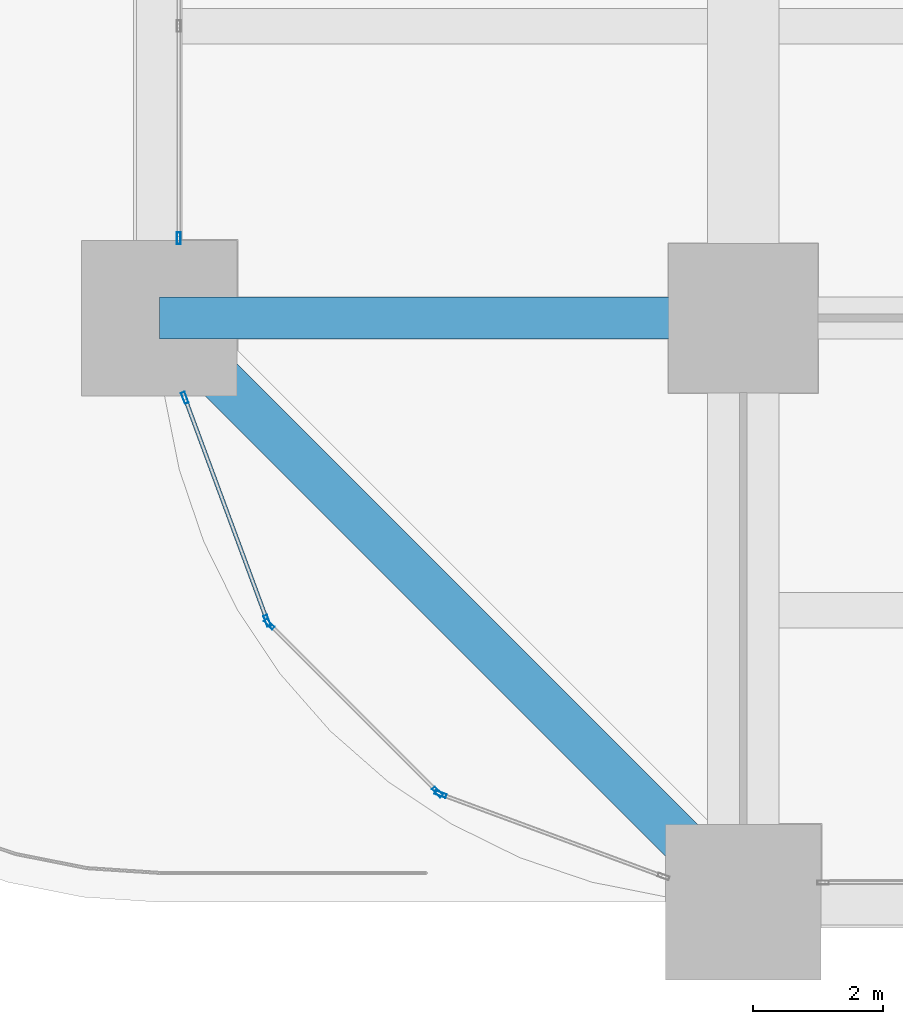
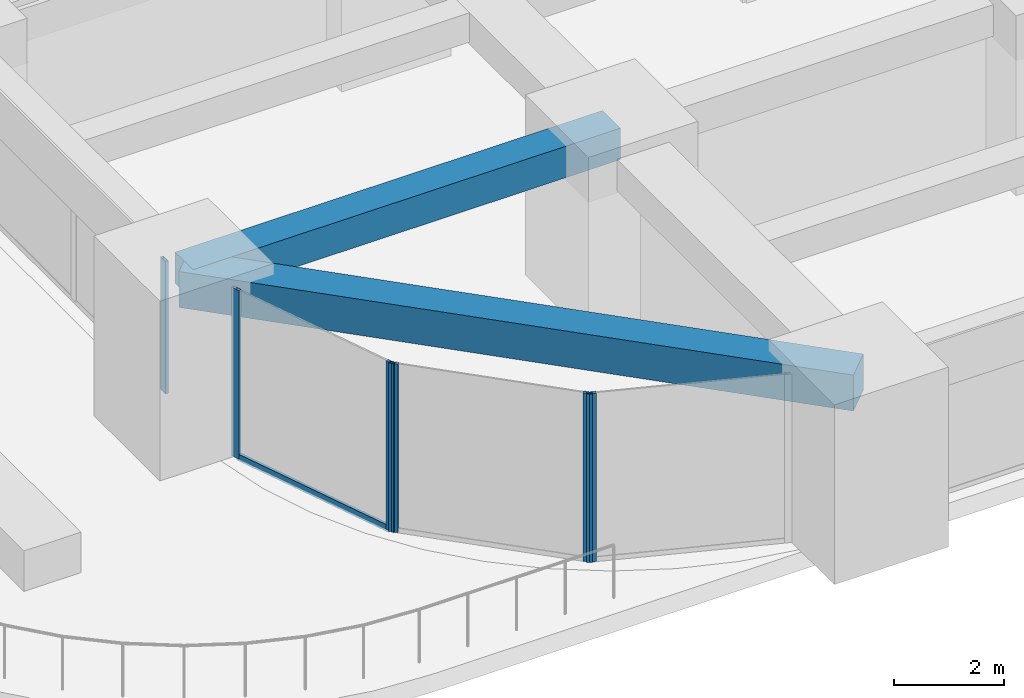
# One storey, part 2 of 38: 7 members, 2 beams, 4 elements without a shape of their own.
"""IFC4 building model written with IfcOpenShell, lengths in metres."""

import ifcopenshell
import ifcopenshell.guid

model = None  # the IFC model being written
_history = None  # IfcOwnerHistory: only IFC2X3 demands one
_inside = {}  # id of a spatial element -> (the spatial element, [elements in it])
_under = {}  # id of a project, library or spatial element -> (it, [spatial elements below it])
_declared = {}  # id of a project -> (the project, [libraries it declares])
_typed = {}  # id of a type object -> (the type object, [elements of that type])
_made_of = {}  # id of a material, layer set ... -> (it, [elements and type objects made of it])


def new_model(schema):
    """Start an empty IFC model of exactly this schema.

    Asked for "IFC4X3", IfcOpenShell would pick the latest addendum, in which some entities
    have other attributes; the version numbers below select the first issue.
    IFC2X3 requires an IfcOwnerHistory on every rooted entity: one is made here for all.
    """
    global model, _history
    if schema == "IFC4X3":
        model = ifcopenshell.file(schema_version=(4, 3, 0, 0))
    else:
        model = ifcopenshell.file(schema=schema)
    _inside.clear()
    _under.clear()
    _declared.clear()
    _typed.clear()
    _made_of.clear()
    _history = None
    if model.schema == "IFC2X3":
        org = make("IfcOrganization", Name="unknown")
        user = make(
            "IfcPersonAndOrganization",
            ThePerson=make("IfcPerson", FamilyName="unknown"),
            TheOrganization=org,
        )
        app = make(
            "IfcApplication",
            ApplicationDeveloper=org,
            Version="unknown",
            ApplicationFullName="unknown",
            ApplicationIdentifier="unknown",
        )
        _history = make(
            "IfcOwnerHistory",
            OwningUser=user,
            OwningApplication=app,
            ChangeAction="ADDED",
            CreationDate=0,
        )
    return model


def make(cls, **values):
    """One entity of the class cls with the attributes given. An attribute that is None is left unset."""
    return model.create_entity(
        cls, **{name: value for name, value in values.items() if value is not None}
    )


def rooted(cls, **values):
    """An entity with a GlobalId (a new one), such as an element, a storey or a relation."""
    return make(cls, GlobalId=ifcopenshell.guid.new(), OwnerHistory=_history, **values)


def si_unit(unit_type, name, prefix=None):
    """IfcSIUnit, for example si_unit("LENGTHUNIT", "METRE", prefix="MILLI")."""
    return make("IfcSIUnit", UnitType=unit_type, Prefix=prefix, Name=name)


def assignment(units):
    """IfcUnitAssignment: the units of a project."""
    return None if units is None else make("IfcUnitAssignment", Units=units)


def point(xyz):
    """IfcCartesianPoint."""
    return None if xyz is None else make("IfcCartesianPoint", Coordinates=xyz)


def direction(xyz):
    """IfcDirection."""
    return None if xyz is None else make("IfcDirection", DirectionRatios=xyz)


def frame(location, z_axis=None, x_axis=None):
    """IfcAxis2Placement3D, a coordinate frame: its origin and axes. An axis left out is left unset."""
    return make(
        "IfcAxis2Placement3D",
        Location=point(location),
        Axis=direction(z_axis),
        RefDirection=direction(x_axis),
    )


def frame_2d(location, x_axis=None):
    """IfcAxis2Placement2D, a coordinate frame in the plane: its origin and x axis."""
    return make(
        "IfcAxis2Placement2D", Location=point(location), RefDirection=direction(x_axis)
    )


def origin():
    """The frame at (0, 0, 0) with its axes left unset."""
    return frame((0.0, 0.0, 0.0))


def origin_2d():
    """The frame at (0, 0) in the plane with its x axis left unset."""
    return frame_2d((0.0, 0.0))


def place(relative_to, where):
    """IfcLocalPlacement: puts the frame where relative to a parent placement (None: the world)."""
    return make(
        "IfcLocalPlacement", PlacementRelTo=relative_to, RelativePlacement=where
    )


def context(
    kind, dimensions, precision=None, world=None, true_north=None, identifier=None
):
    """IfcGeometricRepresentationContext, for example the 3D "Model" context."""
    return make(
        "IfcGeometricRepresentationContext",
        ContextIdentifier=identifier,
        ContextType=kind,
        CoordinateSpaceDimension=dimensions,
        Precision=precision,
        WorldCoordinateSystem=world,
        TrueNorth=true_north,
    )


def subcontext(parent, identifier, kind, view, scale=None):
    """IfcGeometricRepresentationSubContext, for example "Body" below "Model"."""
    return make(
        "IfcGeometricRepresentationSubContext",
        ContextIdentifier=identifier,
        ContextType=kind,
        ParentContext=parent,
        TargetScale=scale,
        TargetView=view,
    )


def project(units=None, contexts=None):
    """IfcProject with its units and contexts."""
    return rooted(
        "IfcProject",
        Name="project",
        RepresentationContexts=contexts,
        UnitsInContext=assignment(units),
    )


def spatial(cls, under=None, at=None, **own):
    """A site, building, storey or space (cls), placed at a placement, below another one or the project."""
    s = rooted(cls, ObjectPlacement=at, **own)
    if under is not None:
        _under.setdefault(under.id(), (under, []))[1].append(s)
    return s


def profile(cls, at=None, kind="AREA", **sizes):
    """A parametric profile (cls). Its sizes go by their IFC names, for example OverallWidth=200.0."""
    return make(cls, ProfileType=kind, Position=at, **sizes)


def rectangle(**sizes):
    """IfcRectangleProfileDef."""
    return profile("IfcRectangleProfileDef", **sizes)


def hollow_rectangle(**sizes):
    """IfcRectangleHollowProfileDef."""
    return profile("IfcRectangleHollowProfileDef", **sizes)


def extrude(swept, where, along, depth):
    """IfcExtrudedAreaSolid: the profile swept, set in the frame where, extruded along a direction by depth."""
    return make(
        "IfcExtrudedAreaSolid",
        SweptArea=swept,
        Position=where,
        ExtrudedDirection=direction(along),
        Depth=depth,
    )


def shape(context_of_items, identifier, shape_type, items):
    """IfcShapeRepresentation: the items that make up one representation, for example the "Body"."""
    return make(
        "IfcShapeRepresentation",
        ContextOfItems=context_of_items,
        RepresentationIdentifier=identifier,
        RepresentationType=shape_type,
        Items=items,
    )


def material(Name=None, Category=None):
    """IfcMaterial."""
    return make("IfcMaterial", Name=Name, Category=Category)


def material_profile(
    of_material, cross_section, Name=None, Category=None, Priority=None
):
    """IfcMaterialProfile: a cross section and its material."""
    return make(
        "IfcMaterialProfile",
        Name=Name,
        Material=of_material,
        Profile=cross_section,
        Priority=Priority,
        Category=Category,
    )


def profile_set(profiles, Name=None, composite=None):
    """IfcMaterialProfileSet."""
    return make(
        "IfcMaterialProfileSet",
        Name=Name,
        MaterialProfiles=profiles,
        CompositeProfile=composite,
    )


def made_of(thing, what):
    """Note that an element or type object is made of a material, layer set ...; save() writes the relation."""
    if what is not None:
        _made_of.setdefault(what.id(), (what, []))[1].append(thing)
    return thing


def type_object(cls, material=None, **own):
    """A type object (cls), such as IfcWallType, which elements share."""
    return made_of(rooted(cls, **own), material)


def element(
    cls,
    number,
    at=None,
    inside=None,
    cuts=None,
    type_object=None,
    material=None,
    context=None,
    identifier="Body",
    shape_type=None,
    held_by="IfcProductDefinitionShape",
    body=None,
    shapes=None,
    **own,
):
    """One element of the class cls, such as IfcWall. Its Tag is "e" and its number.

    at: its placement. inside: the storey or other place that contains it. cuts: it is an
    opening in that element (IfcRelVoidsElement). A single representation is given by context,
    identifier, shape_type and body (its items); several are given by shapes. held_by: the class
    of the entity that holds the representations. save() writes the other relations.
    """
    e = rooted(cls, Tag="e%d" % number, ObjectPlacement=at, **own)
    if body is not None:
        shapes = [shape(context, identifier, shape_type, body)]
    if shapes is not None:
        e.Representation = make(held_by, Representations=shapes)
    if inside is not None:
        _inside.setdefault(inside.id(), (inside, []))[1].append(e)
    if cuts is not None:
        rooted(
            "IfcRelVoidsElement", RelatingBuildingElement=cuts, RelatedOpeningElement=e
        )
    if type_object is not None:
        _typed.setdefault(type_object.id(), (type_object, []))[1].append(e)
    return made_of(e, material)


def aggregate(whole, parts):
    """IfcRelAggregates: a whole, such as a stair, and the parts it consists of."""
    return rooted("IfcRelAggregates", RelatingObject=whole, RelatedObjects=parts)


def save(model, path):
    """Write the relations noted so far, then the file.

    IfcRelAggregates (storeys below a building ...), IfcRelContainedInSpatialStructure (elements
    in a storey), IfcRelDefinesByType, IfcRelAssociatesMaterial and IfcRelDeclares: one each for
    every whole, place, type object, material and project.
    """
    for whole, parts in _under.values():
        aggregate(whole, parts)
    for where, things in _inside.values():
        rooted(
            "IfcRelContainedInSpatialStructure",
            RelatedElements=things,
            RelatingStructure=where,
        )
    for kind, things in _typed.values():
        rooted("IfcRelDefinesByType", RelatedObjects=things, RelatingType=kind)
    for what, things in _made_of.values():
        rooted("IfcRelAssociatesMaterial", RelatedObjects=things, RelatingMaterial=what)
    for by, libraries in _declared.values():
        rooted("IfcRelDeclares", RelatingContext=by, RelatedDefinitions=libraries)
    model.write(path)


model = new_model("IFC4")

# Units and contexts
model_context = context("Model", 3, precision=1e-05, world=origin(), true_north=direction((0.0, 1.0)))
body_context = subcontext(model_context, "Body", "Model", "MODEL_VIEW")
ifc_project = project(units=[si_unit("LENGTHUNIT", "METRE"), si_unit("AREAUNIT", "SQUARE_METRE"), si_unit("VOLUMEUNIT", "CUBIC_METRE"), si_unit("PLANEANGLEUNIT", "RADIAN"), si_unit("MASSUNIT", "GRAM", prefix="KILO")], contexts=[model_context])

# Site, building, storey
site_placement = place(None, origin())
site = spatial("IfcSite", under=ifc_project, at=site_placement, CompositionType="ELEMENT")
building_placement = place(site_placement, origin())
building = spatial("IfcBuilding", under=site, at=building_placement, Name="Zorevar Civic Tower", CompositionType="ELEMENT")
storey_placement = place(building_placement, frame((0.0, 0.0, 15.800048828125)))
storey = spatial("IfcBuildingStorey", under=building, at=storey_placement, Name="L03", CompositionType="ELEMENT", Elevation=15.800048828125)

# Beam
ifc_material_1 = material(Name="Concrete C50/60", Category="concrete")
ifc_material_profile_1 = material_profile(ifc_material_1, rectangle(XDim=0.64990234375, YDim=0.699951171875, at=origin_2d()), Name="RC 650x700")
ifc_profile_set_1 = profile_set([ifc_material_profile_1], Name="Concrete C50/60")
beam_type_1 = type_object("IfcBeamType", Name="Beam RC 650x700", PredefinedType="BEAM", material=ifc_profile_set_1)
beam_1_placement = place(storey_placement, frame((0.0, 9.0, 3.39990234375), z_axis=(1.0, 0.0, 0.0), x_axis=(0.0, 1.0, 0.0)))
element("IfcBeam", 1, at=beam_1_placement, inside=storey, type_object=beam_type_1, Name="Girder L04", PredefinedType="BEAM", context=body_context, shape_type="SweptSolid", body=[
    extrude(rectangle(XDim=0.64990234375, YDim=0.699951171875, at=origin_2d()), origin(), (0.0, 0.0, 1.0), 9.0),
])

# Curtain wall, member
ifc_material_2 = material(Name="Dark grey solar-control glass in black aluminium frame", Category="aluminium")
curtain_wall_type = type_object("IfcCurtainWallType", Name="Curtain wall CW2 low zone", PredefinedType="NOTDEFINED", material=ifc_material_2)
curtain_wall_1_placement = place(storey_placement, origin())
curtain_wall_1 = element("IfcCurtainWall", 2, at=curtain_wall_1_placement, inside=storey, type_object=curtain_wall_type, Name="CW2 L03", PredefinedType="NOTDEFINED")
ifc_material_3 = material(Name="Aluminium, black anodised", Category="aluminium")
ifc_material_profile_2 = material_profile(ifc_material_3, hollow_rectangle(XDim=0.06005859375, YDim=0.179931640625, WallThickness=0.00390625, at=origin_2d()), Name="AL 180x60x4")
ifc_profile_set_2 = profile_set([ifc_material_profile_2], Name="Aluminium, black anodised")
member_type_1 = type_object("IfcMemberType", Name="CW2 mullion AL 180x60x4", PredefinedType="MULLION", material=ifc_profile_set_2)
member_1_placement = place(storey_placement, frame((0.300048828125, 10.22998046875, 0.0), z_axis=(0.0, 0.0, 1.0), x_axis=(-1.0, 0.0, 0.0)))
member_1 = element("IfcMember", 3, at=member_1_placement, type_object=member_type_1, Name="CW2 mullion 1", PredefinedType="MULLION", context=body_context, shape_type="SweptSolid", body=[
    extrude(hollow_rectangle(XDim=0.06005859375, YDim=0.179931640625, WallThickness=0.00390625, at=origin_2d()), origin(), (0.0, 0.0, 1.0), 2.949951171875),
])
aggregate(curtain_wall_1, [member_1])

# Curtain wall, members
curtain_wall_2_placement = place(storey_placement, origin())
curtain_wall_2 = element("IfcCurtainWall", 4, at=curtain_wall_2_placement, inside=storey, type_object=curtain_wall_type, Name="CW2 L03", PredefinedType="NOTDEFINED")
member_2_placement = place(storey_placement, frame((0.3935546875, 7.77197265625, 0.0), z_axis=(0.0, 0.0, 1.0), x_axis=(0.937974588163, 0.346704012033, 0.0)))
member_2 = element("IfcMember", 5, at=member_2_placement, type_object=member_type_1, Name="CW2 mullion 1", PredefinedType="MULLION", context=body_context, shape_type="SweptSolid", body=[
    extrude(hollow_rectangle(XDim=0.06005859375, YDim=0.179931640625, WallThickness=0.00390625, at=origin_2d()), origin(), (0.0, 0.0, 1.0), 3.75),
])
member_3_placement = place(storey_placement, frame((1.663818359375, 4.33544921875, 0.0), z_axis=(0.0, 0.0, 1.0), x_axis=(0.937974588163, 0.346704012033, 0.0)))
member_3 = element("IfcMember", 6, at=member_3_placement, type_object=member_type_1, Name="CW2 mullion 2", PredefinedType="MULLION", context=body_context, shape_type="SweptSolid", body=[
    extrude(hollow_rectangle(XDim=0.06005859375, YDim=0.179931640625, WallThickness=0.00390625, at=origin_2d()), origin(), (0.0, 0.0, 1.0), 3.75),
])

curtain_wall_3_placement = place(storey_placement, origin())
curtain_wall_3 = element("IfcCurtainWall", 7, at=curtain_wall_3_placement, inside=storey, type_object=curtain_wall_type, Name="CW2 L03", PredefinedType="NOTDEFINED")
member_4_placement = place(storey_placement, frame((1.6953125, 4.2861328125, 0.0), z_axis=(0.0, 0.0, 1.0), x_axis=(0.707106781187, 0.707106781187, 0.0)))
member_4 = element("IfcMember", 8, at=member_4_placement, type_object=member_type_1, Name="CW2 mullion 1", PredefinedType="MULLION", context=body_context, shape_type="SweptSolid", body=[
    extrude(hollow_rectangle(XDim=0.06005859375, YDim=0.179931640625, WallThickness=0.00390625, at=origin_2d()), origin(), (0.0, 0.0, 1.0), 3.75),
])
member_5_placement = place(storey_placement, frame((4.2861328125, 1.6953125, 0.0), z_axis=(0.0, 0.0, 1.0), x_axis=(0.707106781187, 0.707106781187, 0.0)))
member_5 = element("IfcMember", 9, at=member_5_placement, type_object=member_type_1, Name="CW2 mullion 2", PredefinedType="MULLION", context=body_context, shape_type="SweptSolid", body=[
    extrude(hollow_rectangle(XDim=0.06005859375, YDim=0.179931640625, WallThickness=0.00390625, at=origin_2d()), origin(), (0.0, 0.0, 1.0), 3.75),
])
aggregate(curtain_wall_3, [member_4, member_5])

# Curtain wall, member
curtain_wall_4_placement = place(storey_placement, origin())
curtain_wall_4 = element("IfcCurtainWall", 10, at=curtain_wall_4_placement, inside=storey, type_object=curtain_wall_type, Name="CW2 L03", PredefinedType="NOTDEFINED")
member_6_placement = place(storey_placement, frame((4.33544921875, 1.663818359375, 0.0), z_axis=(0.0, 0.0, 1.0), x_axis=(0.346704012033, 0.937974588163, 0.0)))
member_6 = element("IfcMember", 11, at=member_6_placement, type_object=member_type_1, Name="CW2 mullion 1", PredefinedType="MULLION", context=body_context, shape_type="SweptSolid", body=[
    extrude(hollow_rectangle(XDim=0.06005859375, YDim=0.179931640625, WallThickness=0.00390625, at=origin_2d()), origin(), (0.0, 0.0, 1.0), 3.75),
])
aggregate(curtain_wall_4, [member_6])

# Member
ifc_material_4 = material(Name="Aluminium, black anodised", Category="aluminium")
ifc_material_profile_3 = material_profile(ifc_material_4, hollow_rectangle(XDim=0.06005859375, YDim=0.14990234375, WallThickness=0.00390625, at=origin_2d()), Name="AL 150x60x4")
ifc_profile_set_3 = profile_set([ifc_material_profile_3], Name="Aluminium, black anodised")
member_type_2 = type_object("IfcMemberType", Name="CW2 transom AL 150x60x4", PredefinedType="USERDEFINED", material=ifc_profile_set_3)
member_7_placement = place(storey_placement, frame((0.404052734375, 7.74365234375, 0.030029296875), z_axis=(0.346672169799, -0.93798635741, 0.0), x_axis=(0.93798635741, 0.346672169799, 0.0)))
member_7 = element("IfcMember", 12, at=member_7_placement, type_object=member_type_2, Name="CW2 sill transom", ObjectType="TRANSOM", PredefinedType="USERDEFINED", context=body_context, shape_type="SweptSolid", body=[
    extrude(hollow_rectangle(XDim=0.06005859375, YDim=0.14990234375, WallThickness=0.00390625, at=origin_2d()), origin(), (0.0, 0.0, 1.0), 3.603515625),
])

aggregate(curtain_wall_2, [member_2, member_3, member_7])

# Beam
ifc_material_5 = material(Name="Concrete C50/60", Category="concrete")
ifc_material_profile_4 = material_profile(ifc_material_5, rectangle(XDim=0.699951171875, YDim=0.800048828125, at=origin_2d()), Name="RC 700x800")
ifc_profile_set_4 = profile_set([ifc_material_profile_4], Name="Concrete C50/60")
beam_type_2 = type_object("IfcBeamType", Name="Edge beam RC 700x800", PredefinedType="SPANDREL", material=ifc_profile_set_4)
beam_2_placement = place(storey_placement, frame((0.0, 9.0, 3.349853515625), z_axis=(0.707106781187, -0.707106781187, 0.0), x_axis=(0.707106781187, 0.707106781187, 0.0)))
element("IfcBeam", 13, at=beam_2_placement, inside=storey, type_object=beam_type_2, Name="Corner edge beam L04", PredefinedType="SPANDREL", context=body_context, shape_type="SweptSolid", body=[
    extrude(rectangle(XDim=0.699951171875, YDim=0.800048828125, at=origin_2d()), origin(), (0.0, 0.0, 1.0), 12.72802734375),
])

save(model, "model.ifc")
